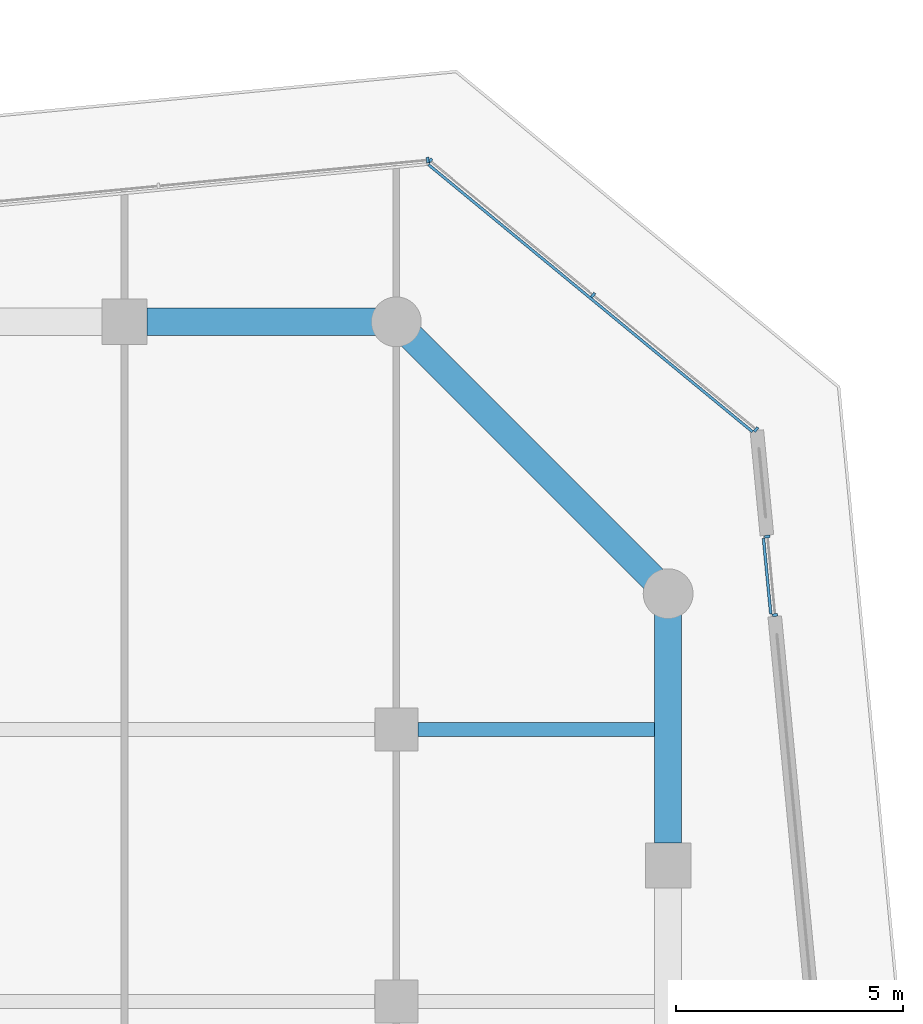
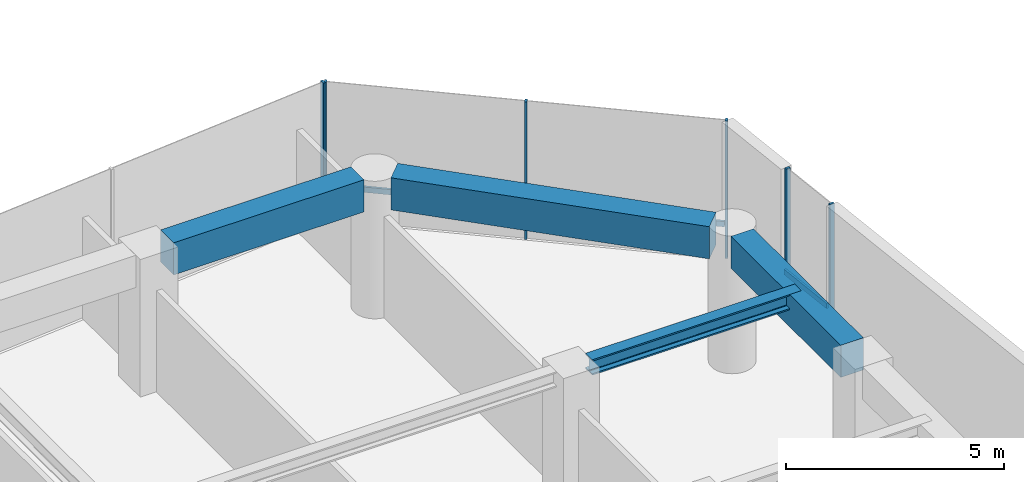
# One storey, part 9 of 28: 8 members, 4 beams, 3 elements without a shape of their own.
"""IFC4 building model written with IfcOpenShell, lengths in metres."""

import ifcopenshell
import ifcopenshell.guid

model = None  # the IFC model being written
_history = None  # IfcOwnerHistory: only IFC2X3 demands one
_inside = {}  # id of a spatial element -> (the spatial element, [elements in it])
_under = {}  # id of a project, library or spatial element -> (it, [spatial elements below it])
_declared = {}  # id of a project -> (the project, [libraries it declares])
_typed = {}  # id of a type object -> (the type object, [elements of that type])
_made_of = {}  # id of a material, layer set ... -> (it, [elements and type objects made of it])


def new_model(schema):
    """Start an empty IFC model of exactly this schema.

    Asked for "IFC4X3", IfcOpenShell would pick the latest addendum, in which some entities
    have other attributes; the version numbers below select the first issue.
    IFC2X3 requires an IfcOwnerHistory on every rooted entity: one is made here for all.
    """
    global model, _history
    if schema == "IFC4X3":
        model = ifcopenshell.file(schema_version=(4, 3, 0, 0))
    else:
        model = ifcopenshell.file(schema=schema)
    _inside.clear()
    _under.clear()
    _declared.clear()
    _typed.clear()
    _made_of.clear()
    _history = None
    if model.schema == "IFC2X3":
        org = make("IfcOrganization", Name="unknown")
        user = make(
            "IfcPersonAndOrganization",
            ThePerson=make("IfcPerson", FamilyName="unknown"),
            TheOrganization=org,
        )
        app = make(
            "IfcApplication",
            ApplicationDeveloper=org,
            Version="unknown",
            ApplicationFullName="unknown",
            ApplicationIdentifier="unknown",
        )
        _history = make(
            "IfcOwnerHistory",
            OwningUser=user,
            OwningApplication=app,
            ChangeAction="ADDED",
            CreationDate=0,
        )
    return model


def make(cls, **values):
    """One entity of the class cls with the attributes given. An attribute that is None is left unset."""
    return model.create_entity(
        cls, **{name: value for name, value in values.items() if value is not None}
    )


def rooted(cls, **values):
    """An entity with a GlobalId (a new one), such as an element, a storey or a relation."""
    return make(cls, GlobalId=ifcopenshell.guid.new(), OwnerHistory=_history, **values)


def si_unit(unit_type, name, prefix=None):
    """IfcSIUnit, for example si_unit("LENGTHUNIT", "METRE", prefix="MILLI")."""
    return make("IfcSIUnit", UnitType=unit_type, Prefix=prefix, Name=name)


def assignment(units):
    """IfcUnitAssignment: the units of a project."""
    return None if units is None else make("IfcUnitAssignment", Units=units)


def point(xyz):
    """IfcCartesianPoint."""
    return None if xyz is None else make("IfcCartesianPoint", Coordinates=xyz)


def direction(xyz):
    """IfcDirection."""
    return None if xyz is None else make("IfcDirection", DirectionRatios=xyz)


def frame(location, z_axis=None, x_axis=None):
    """IfcAxis2Placement3D, a coordinate frame: its origin and axes. An axis left out is left unset."""
    return make(
        "IfcAxis2Placement3D",
        Location=point(location),
        Axis=direction(z_axis),
        RefDirection=direction(x_axis),
    )


def frame_2d(location, x_axis=None):
    """IfcAxis2Placement2D, a coordinate frame in the plane: its origin and x axis."""
    return make(
        "IfcAxis2Placement2D", Location=point(location), RefDirection=direction(x_axis)
    )


def origin():
    """The frame at (0, 0, 0) with its axes left unset."""
    return frame((0.0, 0.0, 0.0))


def origin_2d():
    """The frame at (0, 0) in the plane with its x axis left unset."""
    return frame_2d((0.0, 0.0))


def place(relative_to, where):
    """IfcLocalPlacement: puts the frame where relative to a parent placement (None: the world)."""
    return make(
        "IfcLocalPlacement", PlacementRelTo=relative_to, RelativePlacement=where
    )


def context(
    kind, dimensions, precision=None, world=None, true_north=None, identifier=None
):
    """IfcGeometricRepresentationContext, for example the 3D "Model" context."""
    return make(
        "IfcGeometricRepresentationContext",
        ContextIdentifier=identifier,
        ContextType=kind,
        CoordinateSpaceDimension=dimensions,
        Precision=precision,
        WorldCoordinateSystem=world,
        TrueNorth=true_north,
    )


def subcontext(parent, identifier, kind, view, scale=None):
    """IfcGeometricRepresentationSubContext, for example "Body" below "Model"."""
    return make(
        "IfcGeometricRepresentationSubContext",
        ContextIdentifier=identifier,
        ContextType=kind,
        ParentContext=parent,
        TargetScale=scale,
        TargetView=view,
    )


def project(units=None, contexts=None):
    """IfcProject with its units and contexts."""
    return rooted(
        "IfcProject",
        Name="project",
        RepresentationContexts=contexts,
        UnitsInContext=assignment(units),
    )


def spatial(cls, under=None, at=None, **own):
    """A site, building, storey or space (cls), placed at a placement, below another one or the project."""
    s = rooted(cls, ObjectPlacement=at, **own)
    if under is not None:
        _under.setdefault(under.id(), (under, []))[1].append(s)
    return s


def profile(cls, at=None, kind="AREA", **sizes):
    """A parametric profile (cls). Its sizes go by their IFC names, for example OverallWidth=200.0."""
    return make(cls, ProfileType=kind, Position=at, **sizes)


def rectangle(**sizes):
    """IfcRectangleProfileDef."""
    return profile("IfcRectangleProfileDef", **sizes)


def i_section(**sizes):
    """IfcIShapeProfileDef."""
    return profile("IfcIShapeProfileDef", **sizes)


def extrude(swept, where, along, depth):
    """IfcExtrudedAreaSolid: the profile swept, set in the frame where, extruded along a direction by depth."""
    return make(
        "IfcExtrudedAreaSolid",
        SweptArea=swept,
        Position=where,
        ExtrudedDirection=direction(along),
        Depth=depth,
    )


def shape(context_of_items, identifier, shape_type, items):
    """IfcShapeRepresentation: the items that make up one representation, for example the "Body"."""
    return make(
        "IfcShapeRepresentation",
        ContextOfItems=context_of_items,
        RepresentationIdentifier=identifier,
        RepresentationType=shape_type,
        Items=items,
    )


def material(Name=None, Category=None):
    """IfcMaterial."""
    return make("IfcMaterial", Name=Name, Category=Category)


def layer(
    of_material, thickness, ventilated=None, Name=None, Category=None, Priority=None
):
    """IfcMaterialLayer: one layer of a wall or slab, of a material (None: an air gap)."""
    return make(
        "IfcMaterialLayer",
        Material=of_material,
        LayerThickness=thickness,
        IsVentilated=ventilated,
        Name=Name,
        Category=Category,
        Priority=Priority,
    )


def layer_set(layers, Name=None):
    """IfcMaterialLayerSet."""
    return make("IfcMaterialLayerSet", MaterialLayers=layers, LayerSetName=Name)


def material_profile(
    of_material, cross_section, Name=None, Category=None, Priority=None
):
    """IfcMaterialProfile: a cross section and its material."""
    return make(
        "IfcMaterialProfile",
        Name=Name,
        Material=of_material,
        Profile=cross_section,
        Priority=Priority,
        Category=Category,
    )


def profile_set(profiles, Name=None, composite=None):
    """IfcMaterialProfileSet."""
    return make(
        "IfcMaterialProfileSet",
        Name=Name,
        MaterialProfiles=profiles,
        CompositeProfile=composite,
    )


def made_of(thing, what):
    """Note that an element or type object is made of a material, layer set ...; save() writes the relation."""
    if what is not None:
        _made_of.setdefault(what.id(), (what, []))[1].append(thing)
    return thing


def type_object(cls, material=None, **own):
    """A type object (cls), such as IfcWallType, which elements share."""
    return made_of(rooted(cls, **own), material)


def element(
    cls,
    number,
    at=None,
    inside=None,
    cuts=None,
    type_object=None,
    material=None,
    context=None,
    identifier="Body",
    shape_type=None,
    held_by="IfcProductDefinitionShape",
    body=None,
    shapes=None,
    **own,
):
    """One element of the class cls, such as IfcWall. Its Tag is "e" and its number.

    at: its placement. inside: the storey or other place that contains it. cuts: it is an
    opening in that element (IfcRelVoidsElement). A single representation is given by context,
    identifier, shape_type and body (its items); several are given by shapes. held_by: the class
    of the entity that holds the representations. save() writes the other relations.
    """
    e = rooted(cls, Tag="e%d" % number, ObjectPlacement=at, **own)
    if body is not None:
        shapes = [shape(context, identifier, shape_type, body)]
    if shapes is not None:
        e.Representation = make(held_by, Representations=shapes)
    if inside is not None:
        _inside.setdefault(inside.id(), (inside, []))[1].append(e)
    if cuts is not None:
        rooted(
            "IfcRelVoidsElement", RelatingBuildingElement=cuts, RelatedOpeningElement=e
        )
    if type_object is not None:
        _typed.setdefault(type_object.id(), (type_object, []))[1].append(e)
    return made_of(e, material)


def aggregate(whole, parts):
    """IfcRelAggregates: a whole, such as a stair, and the parts it consists of."""
    return rooted("IfcRelAggregates", RelatingObject=whole, RelatedObjects=parts)


def save(model, path):
    """Write the relations noted so far, then the file.

    IfcRelAggregates (storeys below a building ...), IfcRelContainedInSpatialStructure (elements
    in a storey), IfcRelDefinesByType, IfcRelAssociatesMaterial and IfcRelDeclares: one each for
    every whole, place, type object, material and project.
    """
    for whole, parts in _under.values():
        aggregate(whole, parts)
    for where, things in _inside.values():
        rooted(
            "IfcRelContainedInSpatialStructure",
            RelatedElements=things,
            RelatingStructure=where,
        )
    for kind, things in _typed.values():
        rooted("IfcRelDefinesByType", RelatedObjects=things, RelatingType=kind)
    for what, things in _made_of.values():
        rooted("IfcRelAssociatesMaterial", RelatedObjects=things, RelatingMaterial=what)
    for by, libraries in _declared.values():
        rooted("IfcRelDeclares", RelatingContext=by, RelatedDefinitions=libraries)
    model.write(path)


model = new_model("IFC4")

# Units and contexts
model_context = context("Model", 3, precision=1e-05, world=origin(), true_north=direction((0.0, 1.0)))
body_context = subcontext(model_context, "Body", "Model", "MODEL_VIEW")
ifc_project = project(units=[si_unit("LENGTHUNIT", "METRE"), si_unit("AREAUNIT", "SQUARE_METRE"), si_unit("VOLUMEUNIT", "CUBIC_METRE"), si_unit("PLANEANGLEUNIT", "RADIAN"), si_unit("MASSUNIT", "GRAM", prefix="KILO")], contexts=[model_context])

# Site, building, storey
site_placement = place(None, origin())
site = spatial("IfcSite", under=ifc_project, at=site_placement, CompositionType="ELEMENT")
building_placement = place(site_placement, origin())
building = spatial("IfcBuilding", under=site, at=building_placement, Name="Welwitschia Terrace Campus", CompositionType="ELEMENT")
storey_placement = place(building_placement, frame((0.0, 0.0, 87.800048828125)))
storey = spatial("IfcBuildingStorey", under=building, at=storey_placement, Name="L19", CompositionType="ELEMENT", Elevation=87.800048828125)

# Beam
ifc_material_1 = material(Name="Steel S355", Category="steel")
ifc_material_profile_1 = material_profile(ifc_material_1, i_section(OverallWidth=0.306884765625, OverallDepth=0.431884765625, WebThickness=0.02099609375, FlangeThickness=0.0400390625, FilletRadius=0.027099609375, at=origin_2d()))
ifc_profile_set_1 = profile_set([ifc_material_profile_1], Name="Steel S355")
beam_type_1 = type_object("IfcBeamType", Name="Interior girder HE 400 M", PredefinedType="BEAM", material=ifc_profile_set_1)
beam_1_placement = place(storey_placement, frame((48.4755859375, 19.0, 3.634033203125), z_axis=(1.0, 0.0, 0.0), x_axis=(0.0, 1.0, 0.0)))
element("IfcBeam", 1, at=beam_1_placement, inside=storey, type_object=beam_type_1, Name="Girder GB3", PredefinedType="BEAM", context=body_context, shape_type="SweptSolid", body=[
    extrude(i_section(OverallWidth=0.306884765625, OverallDepth=0.431884765625, WebThickness=0.02099609375, FlangeThickness=0.0400390625, FilletRadius=0.027099609375, at=origin_2d()), origin(), (0.0, 0.0, 1.0), 5.534423828125),
])

# Curtain wall, members
ifc_material_2 = material(Name="Bronze anodised aluminium", Category="aluminium")
ifc_layer = layer(ifc_material_2, 0.1201171875)
ifc_layer_set = layer_set([ifc_layer], Name="Bronze anodised aluminium")
curtain_wall_type = type_object("IfcCurtainWallType", Name="Curtain wall CW2 tower 6000", PredefinedType="NOTDEFINED", material=ifc_layer_set)
curtain_wall_1_placement = place(storey_placement, origin())
curtain_wall_1 = element("IfcCurtainWall", 2, at=curtain_wall_1_placement, inside=storey, type_object=curtain_wall_type, Name="CW L19.7.S0", PredefinedType="NOTDEFINED")
ifc_material_3 = material(Name="Bronze anodised aluminium", Category="aluminium")
ifc_material_profile_2 = material_profile(ifc_material_3, rectangle(XDim=0.1201171875, YDim=0.06005859375, at=origin_2d()))
ifc_profile_set_2 = profile_set([ifc_material_profile_2], Name="Bronze anodised aluminium")
member_type_1 = type_object("IfcMemberType", Name="Mullion 60x120", PredefinedType="MULLION", material=ifc_profile_set_2)
member_1_placement = place(storey_placement, frame((56.357666015625, 21.529296875, 0.0), z_axis=(0.0, 0.0, 1.0), x_axis=(-0.995396198367, -0.09584575252, 0.0)))
member_1 = element("IfcMember", 3, at=member_1_placement, type_object=member_type_1, Name="Mullion L19.7.S0.0", PredefinedType="MULLION", context=body_context, shape_type="SweptSolid", body=[
    extrude(rectangle(XDim=0.1201171875, YDim=0.06005859375, at=origin_2d()), origin(), (0.0, 0.0, 1.0), 3.849853515625),
])
member_2_placement = place(storey_placement, frame((56.19091796875, 23.26123046875, 0.0), z_axis=(0.0, 0.0, 1.0), x_axis=(-0.995396198367, -0.09584575252, 0.0)))
member_2 = element("IfcMember", 4, at=member_2_placement, type_object=member_type_1, Name="Mullion L19.7.S0.1", PredefinedType="MULLION", context=body_context, shape_type="SweptSolid", body=[
    extrude(rectangle(XDim=0.1201171875, YDim=0.06005859375, at=origin_2d()), origin(), (0.0, 0.0, 1.0), 3.849853515625),
])

curtain_wall_2_placement = place(storey_placement, origin())
curtain_wall_2 = element("IfcCurtainWall", 5, at=curtain_wall_2_placement, inside=storey, type_object=curtain_wall_type, Name="CW L19.8.0", PredefinedType="NOTDEFINED")
member_3_placement = place(storey_placement, frame((55.942138671875, 25.62451171875, 0.0), z_axis=(0.0, 0.0, 1.0), x_axis=(-0.636078220278, -0.771624583388, 0.0)))
member_3 = element("IfcMember", 6, at=member_3_placement, type_object=member_type_1, Name="Mullion L19.8.0.0", PredefinedType="MULLION", context=body_context, shape_type="SweptSolid", body=[
    extrude(rectangle(XDim=0.1201171875, YDim=0.06005859375, at=origin_2d()), origin(), (0.0, 0.0, 1.0), 3.849853515625),
])
member_4_placement = place(storey_placement, frame((52.344482421875, 28.590087890625, 0.0), z_axis=(0.0, 0.0, 1.0), x_axis=(-0.636078220278, -0.771624583388, 0.0)))
member_4 = element("IfcMember", 7, at=member_4_placement, type_object=member_type_1, Name="Mullion L19.8.0.1", PredefinedType="MULLION", context=body_context, shape_type="SweptSolid", body=[
    extrude(rectangle(XDim=0.1201171875, YDim=0.06005859375, at=origin_2d()), origin(), (0.0, 0.0, 1.0), 3.849853515625),
])
member_5_placement = place(storey_placement, frame((48.746826171875, 31.555908203125, 0.0), z_axis=(0.0, 0.0, 1.0), x_axis=(-0.636078220278, -0.771624583388, 0.0)))
member_5 = element("IfcMember", 8, at=member_5_placement, type_object=member_type_1, Name="Mullion L19.8.0.2", PredefinedType="MULLION", context=body_context, shape_type="SweptSolid", body=[
    extrude(rectangle(XDim=0.1201171875, YDim=0.06005859375, at=origin_2d()), origin(), (0.0, 0.0, 1.0), 3.849853515625),
])

# Curtain wall, member
curtain_wall_3_placement = place(storey_placement, origin())
curtain_wall_3 = element("IfcCurtainWall", 9, at=curtain_wall_3_placement, inside=storey, type_object=curtain_wall_type, Name="CW L19.9.0", PredefinedType="NOTDEFINED")
member_6_placement = place(storey_placement, frame((48.69384765625, 31.572021484375, 0.0), z_axis=(0.0, 0.0, 1.0), x_axis=(0.09584575252, -0.995396198367, 0.0)))
member_6 = element("IfcMember", 10, at=member_6_placement, type_object=member_type_1, Name="Mullion L19.9.0.0", PredefinedType="MULLION", context=body_context, shape_type="SweptSolid", body=[
    extrude(rectangle(XDim=0.1201171875, YDim=0.06005859375, at=origin_2d()), origin(), (0.0, 0.0, 1.0), 3.849853515625),
])
aggregate(curtain_wall_3, [member_6])

# Beams
ifc_material_4 = material(Name="Concrete C60/75", Category="concrete")
ifc_material_profile_3 = material_profile(ifc_material_4, rectangle(XDim=0.60009765625, YDim=0.89990234375, at=origin_2d()))
ifc_profile_set_3 = profile_set([ifc_material_profile_3], Name="Concrete C60/75")
beam_type_2 = type_object("IfcBeamType", Name="Ring spandrel 600x900", PredefinedType="SPANDREL", material=ifc_profile_set_3)
beam_2_placement = place(storey_placement, frame((54.0, 16.50048828125, 3.39990234375), z_axis=(0.0, 1.0, 0.0), x_axis=(-1.0, 0.0, 0.0)))
element("IfcBeam", 11, at=beam_2_placement, inside=storey, type_object=beam_type_2, Name="Spandrel SP2", PredefinedType="SPANDREL", context=body_context, shape_type="SweptSolid", body=[
    extrude(rectangle(XDim=0.60009765625, YDim=0.89990234375, at=origin_2d()), origin(), (0.0, 0.0, 1.0), 5.0380859375),
])
beam_3_placement = place(storey_placement, frame((53.673583984375, 22.326416015625, 3.39990234375), z_axis=(-0.707106781187, 0.707106781187, 0.0), x_axis=(-0.707106781187, -0.707106781187, 0.0)))
element("IfcBeam", 12, at=beam_3_placement, inside=storey, type_object=beam_type_2, Name="Spandrel SP2", PredefinedType="SPANDREL", context=body_context, shape_type="SweptSolid", body=[
    extrude(rectangle(XDim=0.60009765625, YDim=0.89990234375, at=origin_2d()), origin(), (0.0, 0.0, 1.0), 7.56201171875),
])
beam_4_placement = place(storey_placement, frame((47.53857421875, 28.0, 3.39990234375), z_axis=(-1.0, 0.0, 0.0), x_axis=(0.0, -1.0, 0.0)))
element("IfcBeam", 13, at=beam_4_placement, inside=storey, type_object=beam_type_2, Name="Spandrel SP2", PredefinedType="SPANDREL", context=body_context, shape_type="SweptSolid", body=[
    extrude(rectangle(XDim=0.60009765625, YDim=0.89990234375, at=origin_2d()), origin(), (0.0, 0.0, 1.0), 5.0380859375),
])

# Member
ifc_material_5 = material(Name="Bronze anodised aluminium", Category="aluminium")
ifc_material_profile_4 = material_profile(ifc_material_5, rectangle(XDim=0.06005859375, YDim=0.14990234375, at=origin_2d()))
ifc_profile_set_4 = profile_set([ifc_material_profile_4], Name="Bronze anodised aluminium")
member_type_2 = type_object("IfcMemberType", Name="Transom 60x150", PredefinedType="USERDEFINED", material=ifc_profile_set_4)
member_7_placement = place(storey_placement, frame((56.265380859375, 21.550537109375, 1.0), z_axis=(-0.095920099904, 0.995389036726, 0.0), x_axis=(-0.995389036726, -0.095920099904, 0.0)))
member_7 = element("IfcMember", 14, at=member_7_placement, type_object=member_type_2, Name="Transom L19.7.S0", ObjectType="TRANSOM", PredefinedType="USERDEFINED", context=body_context, shape_type="SweptSolid", body=[
    extrude(rectangle(XDim=0.06005859375, YDim=0.14990234375, at=origin_2d()), origin(), (0.0, 0.0, 1.0), 1.679931640625),
])

aggregate(curtain_wall_1, [member_1, member_2, member_7])

member_8_placement = place(storey_placement, frame((55.86181640625, 25.573974609375, 1.0), z_axis=(-0.771625131574, 0.636077555274, 0.0), x_axis=(-0.636077555274, -0.771625131574, 0.0)))
member_8 = element("IfcMember", 15, at=member_8_placement, type_object=member_type_2, Name="Transom L19.8.0", ObjectType="TRANSOM", PredefinedType="USERDEFINED", context=body_context, shape_type="SweptSolid", body=[
    extrude(rectangle(XDim=0.06005859375, YDim=0.14990234375, at=origin_2d()), origin(), (0.0, 0.0, 1.0), 9.26513671875),
])

aggregate(curtain_wall_2, [member_3, member_4, member_5, member_8])

save(model, "model.ifc")
